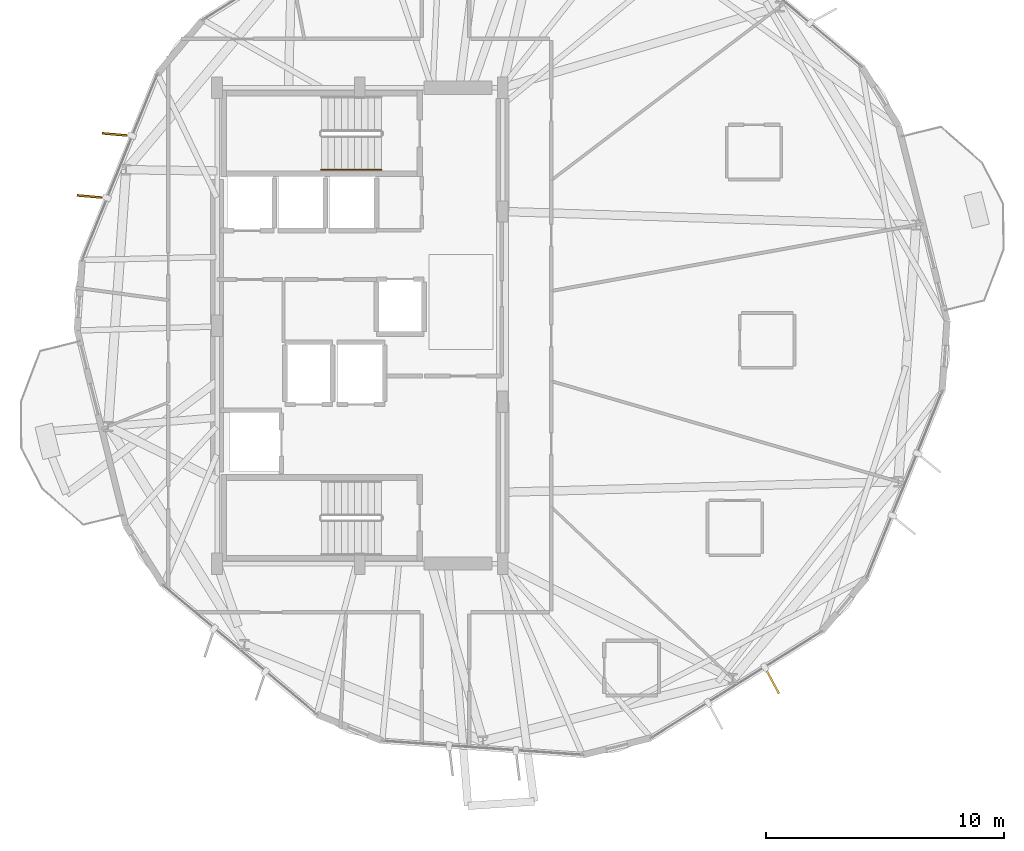
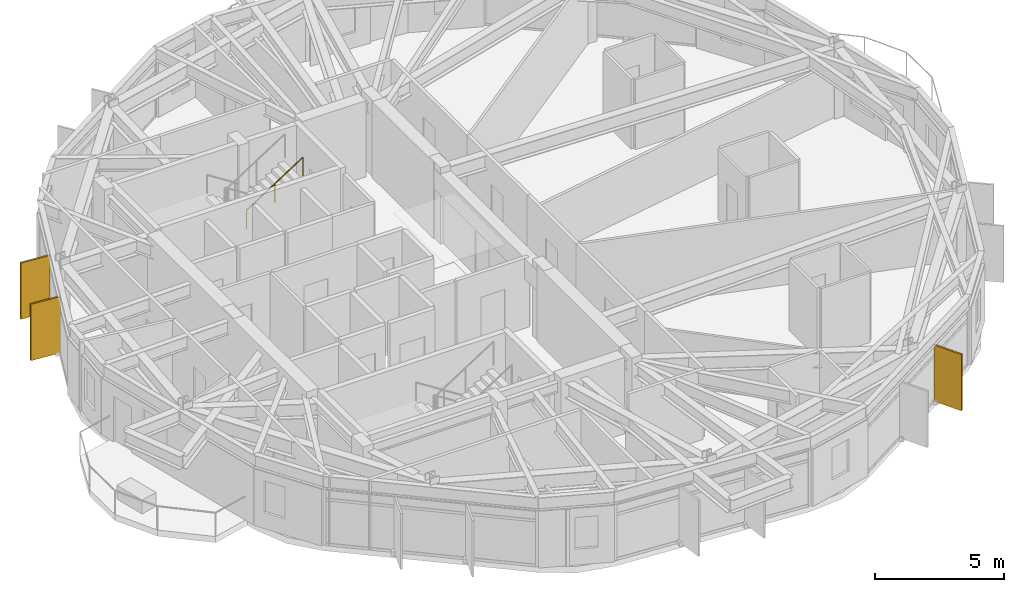
# One storey, part 20 of 22: 3 shading devices, 1 railing.
"""IFC4 building model written with IfcOpenShell, lengths in metres."""

from ifc_helpers import new_model, si_unit, direction, frame, origin, origin_2d, place, context, subcontext, project, spatial, rectangle, circle, extrude, material, layer, layer_set, type_object, element, save


model = new_model("IFC4")

# Units and contexts
model_context = context("Model", 3, precision=1e-05, world=origin(), true_north=direction((0.0, 1.0)))
body_context = subcontext(model_context, "Body", "Model", "MODEL_VIEW")
ifc_project = project(units=[si_unit("LENGTHUNIT", "METRE"), si_unit("AREAUNIT", "SQUARE_METRE"), si_unit("VOLUMEUNIT", "CUBIC_METRE"), si_unit("PLANEANGLEUNIT", "RADIAN"), si_unit("MASSUNIT", "GRAM", prefix="KILO")], contexts=[model_context])

# Site, building, storey
site_placement = place(None, origin())
site = spatial("IfcSite", under=ifc_project, at=site_placement, CompositionType="ELEMENT")
building_placement = place(site_placement, origin())
building = spatial("IfcBuilding", under=site, at=building_placement, Name="Soratama Intermodal Tower", CompositionType="ELEMENT")
storey_placement = place(building_placement, frame((0.0, 0.0, 157.0)))
storey = spatial("IfcBuildingStorey", under=building, at=storey_placement, Name="L38", CompositionType="ELEMENT", Elevation=157.0)

# Railing
ifc_material_1 = material(Name="Brushed stainless steel handrail", Category="steel")
railing_type = type_object("IfcRailingType", Name="RL-STAIR-HAND", PredefinedType="HANDRAIL", material=ifc_material_1)
railing_placement = place(storey_placement, frame((36.97998046875, 31.550048828125, 1.97998046875)))
element("IfcRailing", 1, at=railing_placement, inside=storey, type_object=railing_type, Name="L38 ST-2 stair handrail 2", PredefinedType="HANDRAIL", context=body_context, shape_type="SweptSolid", body=[
    extrude(circle(Radius=0.02392578125, at=origin_2d()), frame((0.0, 0.0, 0.8759765625), z_axis=(0.841162588446, 0.0, 0.540782303519), x_axis=(0.0, 1.0, 0.0)), (0.0, 0.0, 1.0), 2.995849609375),
    extrude(circle(Radius=0.02099609375, at=origin_2d()), origin(), (0.0, 0.0, 1.0), 0.851806640625),
    extrude(circle(Radius=0.02099609375, at=origin_2d()), frame((1.260009765625, 0.0, 0.81005859375)), (0.0, 0.0, 1.0), 0.851806640625),
    extrude(circle(Radius=0.02099609375, at=origin_2d()), frame((2.52001953125, 0.0, 1.6201171875)), (0.0, 0.0, 1.0), 0.851806640625),
])

# Shading devices
ifc_material_2 = material(Name="Champagne anodised aluminium solar fin", Category="aluminium")
ifc_layer = layer(ifc_material_2, 0.080078125)
ifc_layer_set = layer_set([ifc_layer], Name="Champagne anodised aluminium solar fin")
shading_device_type = type_object("IfcShadingDeviceType", Name="SH-FIN-1250", PredefinedType="USERDEFINED", material=ifc_layer_set)
for number, where, z_axis, x_axis, name in (
    (2, (28.39404296875, 33.0302734375, 0.02001953125), (0.0, 0.0, 1.0), (-0.996118261045, 0.088025053325, 0.0), "L38 Solar Fin F04-1"),
    (3, (27.339111328125, 30.422119140625, 0.02001953125), (0.0, 0.0, 1.0), (-0.996118261045, 0.088025053325, 0.0), "L38 Solar Fin F04-2"),
    (4, (55.91943359375, 10.087890625, 0.02001953125), (0.0, 0.0, 1.0), (0.47301214948, -0.881055904267, 0.0), "L38 Solar Fin F08-2"),
):
    element("IfcShadingDevice", number, at=place(storey_placement, frame(where, z_axis=z_axis, x_axis=x_axis)), inside=storey, type_object=shading_device_type, Name=name, ObjectType="FIN", PredefinedType="USERDEFINED", context=body_context, shape_type="SweptSolid", body=[
        extrude(rectangle(XDim=1.25, YDim=0.080078125, at=origin_2d()), origin(), (0.0, 0.0, 1.0), 2.658935546875),
    ])

save(model, "model.ifc")
